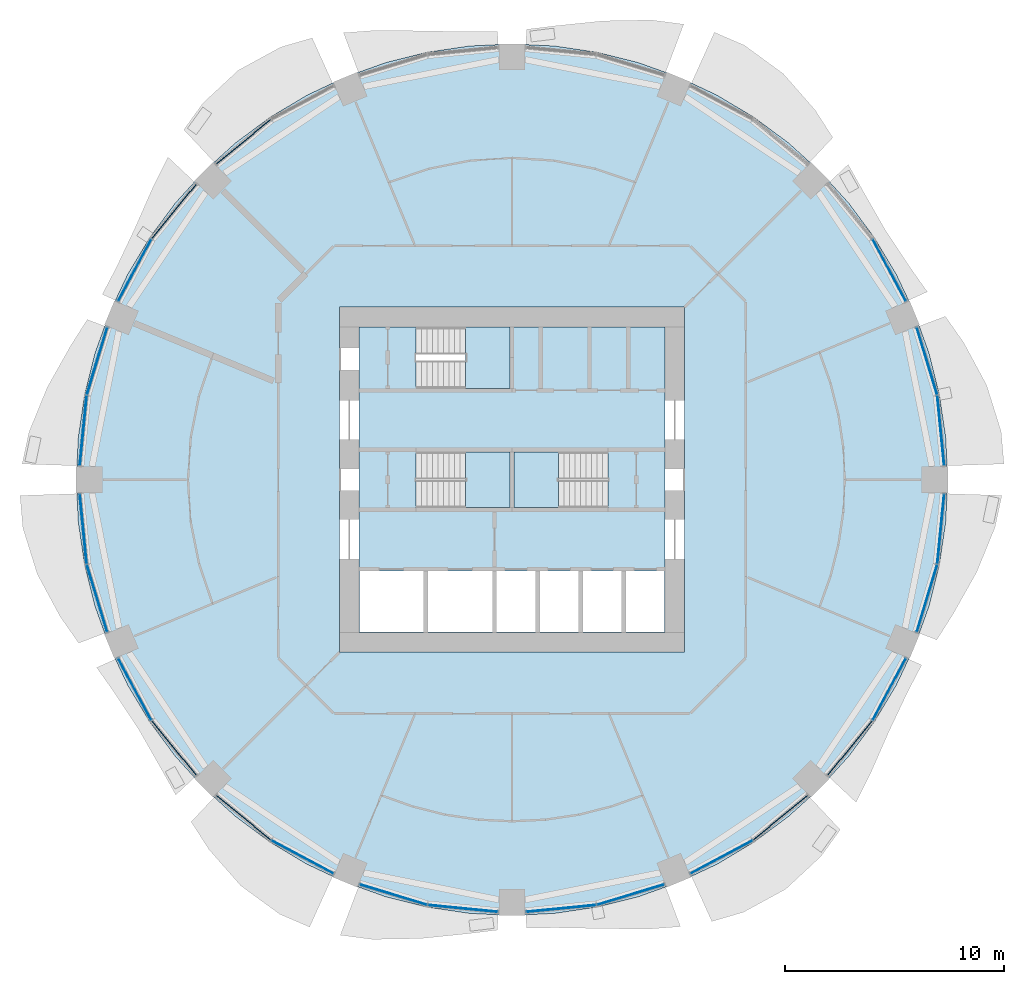
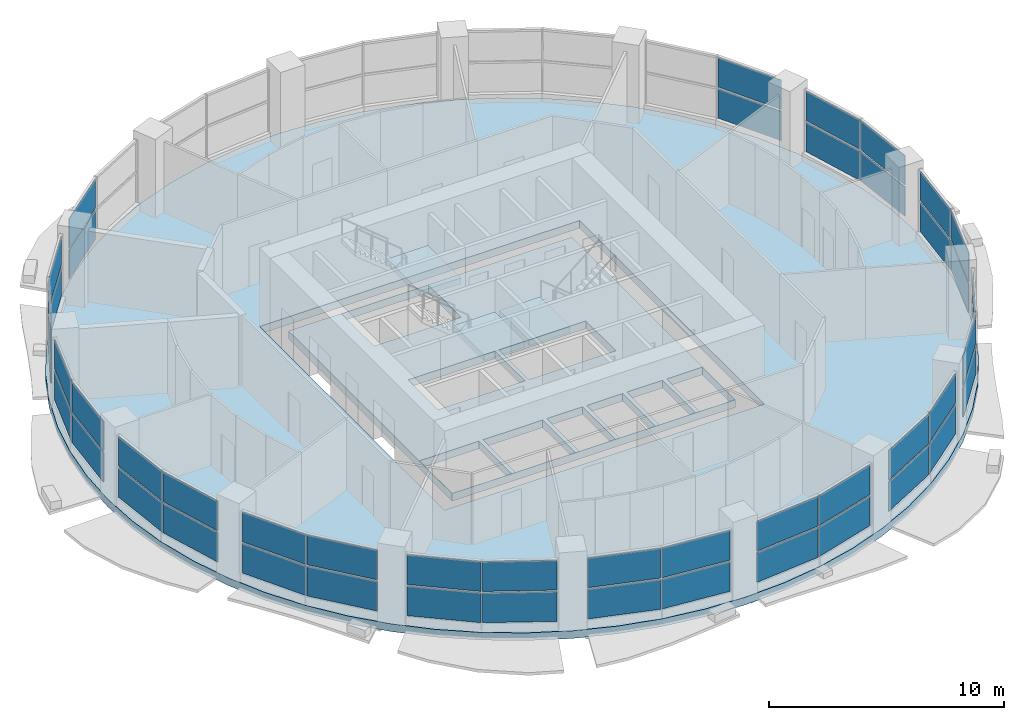
# One storey, part 6 of 14: 48 plates, 5 slabs, 16 elements without a shape of their own.
"""IFC4 building model written with IfcOpenShell, lengths in metres."""

from ifc_helpers import new_model, si_unit, direction, frame, origin, origin_2d, place, context, subcontext, project, spatial, polyline, rectangle, outline, extrude, material, layer, layer_set, type_object, element, aggregate, save


model = new_model("IFC4")

# Units and contexts
model_context = context("Model", 3, precision=1e-05, world=origin(), true_north=direction((0.0, 1.0)))
body_context = subcontext(model_context, "Body", "Model", "MODEL_VIEW")
ifc_project = project(units=[si_unit("LENGTHUNIT", "METRE"), si_unit("AREAUNIT", "SQUARE_METRE"), si_unit("VOLUMEUNIT", "CUBIC_METRE"), si_unit("PLANEANGLEUNIT", "RADIAN"), si_unit("MASSUNIT", "GRAM", prefix="KILO")], contexts=[model_context])

# Site, building, storey
site_placement = place(None, origin())
site = spatial("IfcSite", under=ifc_project, at=site_placement, CompositionType="ELEMENT")
building_placement = place(site_placement, origin())
building = spatial("IfcBuilding", under=site, at=building_placement, Name="Polderwave Tower", CompositionType="ELEMENT")
storey_placement = place(building_placement, frame((0.0, 0.0, 14.39990234375)))
storey = spatial("IfcBuildingStorey", under=building, at=storey_placement, Name="L03", CompositionType="ELEMENT", Elevation=14.39990234375)

# Slabs
ifc_material_1 = material(Name="Concrete C40/50", Category="concrete")
ifc_layer_1 = layer(ifc_material_1, 0.39990234375)
ifc_layer_set_1 = layer_set([ifc_layer_1], Name="Core floor slab 400")
slab_type_1 = type_object("IfcSlabType", Name="Core floor slab 400", PredefinedType="FLOOR", material=ifc_layer_set_1)
slab_1_placement = place(storey_placement, frame((0.0, 0.0, -0.39990234375)))
element("IfcSlab", 1, at=slab_1_placement, inside=storey, type_object=slab_type_1, Name="L03 core floor", PredefinedType="FLOOR", context=body_context, shape_type="SweptSolid", body=[
    extrude(outline(polyline([(-6.97412109375, -6.97412109375), (6.97412109375, -6.97412109375), (6.97412109375, 6.97412109375), (-6.97412109375, 6.97412109375), (-6.97412109375, -6.97412109375)]), holes=[polyline([(-6.9541015625, -6.9541015625), (-4.037109375, -6.9541015625), (-4.037109375, -4.174072265625), (-6.9541015625, -4.174072265625), (-6.9541015625, -6.9541015625)]), polyline([(-3.8369140625, -6.9541015625), (-0.89990234375, -6.9541015625), (-0.89990234375, -4.174072265625), (-3.8369140625, -4.174072265625), (-3.8369140625, -6.9541015625)]), polyline([(-0.699951171875, -6.9541015625), (1.068603515625, -6.9541015625), (1.068603515625, -4.174072265625), (-0.699951171875, -4.174072265625), (-0.699951171875, -6.9541015625)]), polyline([(1.2685546875, -6.9541015625), (3.037109375, -6.9541015625), (3.037109375, -4.174072265625), (1.2685546875, -4.174072265625), (1.2685546875, -6.9541015625)]), polyline([(3.237060546875, -6.9541015625), (5.005615234375, -6.9541015625), (5.005615234375, -4.174072265625), (3.237060546875, -4.174072265625), (3.237060546875, -6.9541015625)]), polyline([(5.20556640625, -6.9541015625), (6.9541015625, -6.9541015625), (6.9541015625, -4.174072265625), (5.20556640625, -4.174072265625), (5.20556640625, -6.9541015625)]), polyline([(-4.37353515625, -1.2744140625), (-0.1005859375, -1.2744140625), (-0.1005859375, 1.2744140625), (-4.37353515625, 1.2744140625), (-4.37353515625, -1.2744140625)]), polyline([(0.1005859375, -1.2744140625), (4.37353515625, -1.2744140625), (4.37353515625, 1.2744140625), (0.1005859375, 1.2744140625), (0.1005859375, -1.2744140625)]), polyline([(-4.37353515625, 4.174560546875), (-0.1005859375, 4.174560546875), (-0.1005859375, 6.9541015625), (-4.37353515625, 6.9541015625), (-4.37353515625, 4.174560546875)])]), origin(), (0.0, 0.0, 1.0), 0.39990234375),
])
ifc_layer_2 = layer(ifc_material_1, 0.39990234375)
ifc_layer_set_2 = layer_set([ifc_layer_2], Name="PT FLOOR SLAB 400 C40/50")
slab_type_2 = type_object("IfcSlabType", Name="PT FLOOR SLAB 400 C40/50", PredefinedType="FLOOR", material=ifc_layer_set_2)
slab_2_placement = place(storey_placement, frame((0.0, 0.0, -0.39990234375)))
element("IfcSlab", 2, at=slab_2_placement, inside=storey, type_object=slab_type_2, Name="ST-SLAB-L03", PredefinedType="FLOOR", context=body_context, shape_type="SweptSolid", body=[
    extrude(outline(polyline([(19.889892578125, 0.0), (19.794189453125, 1.94970703125), (19.5078125, 3.88037109375), (19.033447265625, 5.773681640625), (18.3759765625, 7.611572265625), (17.54150390625, 9.376220703125), (16.537841796875, 11.05029296875), (15.375244140625, 12.6181640625), (14.064453125, 14.064453125), (12.6181640625, 15.375244140625), (11.05029296875, 16.537841796875), (9.376220703125, 17.54150390625), (7.611572265625, 18.3759765625), (5.773681640625, 19.033447265625), (3.88037109375, 19.5078125), (1.94970703125, 19.794189453125), (0.0, 19.889892578125), (-1.94970703125, 19.794189453125), (-3.88037109375, 19.5078125), (-5.773681640625, 19.033447265625), (-7.611572265625, 18.3759765625), (-9.376220703125, 17.54150390625), (-11.05029296875, 16.537841796875), (-12.6181640625, 15.375244140625), (-14.064453125, 14.064453125), (-15.375244140625, 12.6181640625), (-16.537841796875, 11.05029296875), (-17.54150390625, 9.376220703125), (-18.3759765625, 7.611572265625), (-19.033447265625, 5.773681640625), (-19.5078125, 3.88037109375), (-19.794189453125, 1.94970703125), (-19.889892578125, 0.0), (-19.794189453125, -1.94970703125), (-19.5078125, -3.88037109375), (-19.033447265625, -5.773681640625), (-18.3759765625, -7.611572265625), (-17.54150390625, -9.376220703125), (-16.537841796875, -11.05029296875), (-15.375244140625, -12.6181640625), (-14.064453125, -14.064453125), (-12.6181640625, -15.375244140625), (-11.05029296875, -16.537841796875), (-9.376220703125, -17.54150390625), (-7.611572265625, -18.3759765625), (-5.773681640625, -19.033447265625), (-3.88037109375, -19.5078125), (-1.94970703125, -19.794189453125), (0.0, -19.889892578125), (1.94970703125, -19.794189453125), (3.88037109375, -19.5078125), (5.773681640625, -19.033447265625), (7.611572265625, -18.3759765625), (9.376220703125, -17.54150390625), (11.05029296875, -16.537841796875), (12.6181640625, -15.375244140625), (14.064453125, -14.064453125), (15.375244140625, -12.6181640625), (16.537841796875, -11.05029296875), (17.54150390625, -9.376220703125), (18.3759765625, -7.611572265625), (19.033447265625, -5.773681640625), (19.5078125, -3.88037109375), (19.794189453125, -1.94970703125), (19.889892578125, 0.0)]), holes=[polyline([(-7.8740234375, -7.8740234375), (7.8740234375, -7.8740234375), (7.8740234375, 7.8740234375), (-7.8740234375, 7.8740234375), (-7.8740234375, -7.8740234375)])]), origin(), (0.0, 0.0, 1.0), 0.39990234375),
])

# Curtain wall, plates
ifc_material_2 = material(Name="Aluminium 6063-T6 and glass", Category="aluminium")
curtain_wall_type = type_object("IfcCurtainWallType", Name="Shopfront glazing wall", PredefinedType="NOTDEFINED", material=ifc_material_2)
curtain_wall_1_placement = place(storey_placement, origin())
curtain_wall_1 = element("IfcCurtainWall", 3, at=curtain_wall_1_placement, inside=storey, type_object=curtain_wall_type, Name="CW1 L03 00", PredefinedType="NOTDEFINED")
ifc_material_3 = material(Name="Glass, low-e laminated double glazing", Category="glass")
ifc_layer_3 = layer(ifc_material_3, 0.035888671875)
ifc_layer_set_3 = layer_set([ifc_layer_3], Name="Shopfront glazing glass panel 36 mm")
plate_type = type_object("IfcPlateType", Name="Shopfront glazing glass panel 36 mm", PredefinedType="CURTAIN_PANEL", material=ifc_layer_set_3)
plate_1_placement = place(storey_placement, frame((19.569091796875, 2.245361328125, 0.4501953125), z_axis=(0.0, 0.0, 1.0), x_axis=(-0.097963295511, 0.995190028453, 0.0)))
plate_1 = element("IfcPlate", 4, at=plate_1_placement, type_object=plate_type, Name="CW1 panel 1", PredefinedType="CURTAIN_PANEL", context=body_context, shape_type="SweptSolid", body=[
    extrude(rectangle(XDim=3.186767578125, YDim=0.035888671875, at=origin_2d()), origin(), (0.0, 0.0, 1.0), 1.52490234375),
])
plate_2_placement = place(storey_placement, frame((19.569091796875, 2.245361328125, 2.0751953125), z_axis=(0.0, 0.0, 1.0), x_axis=(-0.097963295511, 0.995190028453, 0.0)))
plate_2 = element("IfcPlate", 5, at=plate_2_placement, type_object=plate_type, Name="CW1 panel 2", PredefinedType="CURTAIN_PANEL", context=body_context, shape_type="SweptSolid", body=[
    extrude(rectangle(XDim=3.186767578125, YDim=0.035888671875, at=origin_2d()), origin(), (0.0, 0.0, 1.0), 1.52490234375),
])
plate_3_placement = place(storey_placement, frame((18.93896484375, 5.4140625, 0.4501953125), z_axis=(0.0, 0.0, 1.0), x_axis=(-0.29028634743, 0.956939829088, 0.0)))
plate_3 = element("IfcPlate", 6, at=plate_3_placement, type_object=plate_type, Name="CW1 panel 3", PredefinedType="CURTAIN_PANEL", context=body_context, shape_type="SweptSolid", body=[
    extrude(rectangle(XDim=3.18603515625, YDim=0.035888671875, at=origin_2d()), origin(), (0.0, 0.0, 1.0), 1.52490234375),
])
plate_4_placement = place(storey_placement, frame((18.93896484375, 5.4140625, 2.0751953125), z_axis=(0.0, 0.0, 1.0), x_axis=(-0.29028634743, 0.956939829088, 0.0)))
plate_4 = element("IfcPlate", 7, at=plate_4_placement, type_object=plate_type, Name="CW1 panel 4", PredefinedType="CURTAIN_PANEL", context=body_context, shape_type="SweptSolid", body=[
    extrude(rectangle(XDim=3.18603515625, YDim=0.035888671875, at=origin_2d()), origin(), (0.0, 0.0, 1.0), 1.52490234375),
])
aggregate(curtain_wall_1, [plate_1, plate_2, plate_3, plate_4])

curtain_wall_2_placement = place(storey_placement, origin())
curtain_wall_2 = element("IfcCurtainWall", 8, at=curtain_wall_2_placement, inside=storey, type_object=curtain_wall_type, Name="CW1 L03 01", PredefinedType="NOTDEFINED")
plate_5_placement = place(storey_placement, frame((17.219970703125, 9.563232421875, 0.4501953125), z_axis=(0.0, 0.0, 1.0), x_axis=(-0.471221253797, 0.882015039538, 0.0)))
plate_5 = element("IfcPlate", 9, at=plate_5_placement, type_object=plate_type, Name="CW1 panel 1", PredefinedType="CURTAIN_PANEL", context=body_context, shape_type="SweptSolid", body=[
    extrude(rectangle(XDim=3.1865234375, YDim=0.035888671875, at=origin_2d()), origin(), (0.0, 0.0, 1.0), 1.52490234375),
])
plate_6_placement = place(storey_placement, frame((17.219970703125, 9.563232421875, 2.0751953125), z_axis=(0.0, 0.0, 1.0), x_axis=(-0.471221253797, 0.882015039538, 0.0)))
plate_6 = element("IfcPlate", 10, at=plate_6_placement, type_object=plate_type, Name="CW1 panel 2", PredefinedType="CURTAIN_PANEL", context=body_context, shape_type="SweptSolid", body=[
    extrude(rectangle(XDim=3.1865234375, YDim=0.035888671875, at=origin_2d()), origin(), (0.0, 0.0, 1.0), 1.52490234375),
])
aggregate(curtain_wall_2, [plate_5, plate_6])

curtain_wall_3_placement = place(storey_placement, origin())
curtain_wall_3 = element("IfcCurtainWall", 11, at=curtain_wall_3_placement, inside=storey, type_object=curtain_wall_type, Name="CW1 L03 05", PredefinedType="NOTDEFINED")
plate_7_placement = place(storey_placement, frame((-12.25, 15.425048828125, 0.4501953125), z_axis=(0.0, 0.0, 1.0), x_axis=(-0.772977235548, -0.634433758027, 0.0)))
plate_7 = element("IfcPlate", 12, at=plate_7_placement, type_object=plate_type, Name="CW1 panel 3", PredefinedType="CURTAIN_PANEL", context=body_context, shape_type="SweptSolid", body=[
    extrude(rectangle(XDim=3.18701171875, YDim=0.035888671875, at=origin_2d()), origin(), (0.0, 0.0, 1.0), 1.52490234375),
])
plate_8_placement = place(storey_placement, frame((-12.25, 15.425048828125, 2.0751953125), z_axis=(0.0, 0.0, 1.0), x_axis=(-0.772977235548, -0.634433758027, 0.0)))
plate_8 = element("IfcPlate", 13, at=plate_8_placement, type_object=plate_type, Name="CW1 panel 4", PredefinedType="CURTAIN_PANEL", context=body_context, shape_type="SweptSolid", body=[
    extrude(rectangle(XDim=3.18701171875, YDim=0.035888671875, at=origin_2d()), origin(), (0.0, 0.0, 1.0), 1.52490234375),
])
aggregate(curtain_wall_3, [plate_7, plate_8])

curtain_wall_4_placement = place(storey_placement, origin())
curtain_wall_4 = element("IfcCurtainWall", 14, at=curtain_wall_4_placement, inside=storey, type_object=curtain_wall_type, Name="CW1 L03 06", PredefinedType="NOTDEFINED")
plate_9_placement = place(storey_placement, frame((-15.425048828125, 12.25, 0.4501953125), z_axis=(0.0, 0.0, 1.0), x_axis=(-0.634433758027, -0.772977235548, 0.0)))
plate_9 = element("IfcPlate", 15, at=plate_9_placement, type_object=plate_type, Name="CW1 panel 1", PredefinedType="CURTAIN_PANEL", context=body_context, shape_type="SweptSolid", body=[
    extrude(rectangle(XDim=3.18701171875, YDim=0.035888671875, at=origin_2d()), origin(), (0.0, 0.0, 1.0), 1.52490234375),
])
plate_10_placement = place(storey_placement, frame((-15.425048828125, 12.25, 2.0751953125), z_axis=(0.0, 0.0, 1.0), x_axis=(-0.634433758027, -0.772977235548, 0.0)))
plate_10 = element("IfcPlate", 16, at=plate_10_placement, type_object=plate_type, Name="CW1 panel 2", PredefinedType="CURTAIN_PANEL", context=body_context, shape_type="SweptSolid", body=[
    extrude(rectangle(XDim=3.18701171875, YDim=0.035888671875, at=origin_2d()), origin(), (0.0, 0.0, 1.0), 1.52490234375),
])
plate_11_placement = place(storey_placement, frame((-17.219970703125, 9.563232421875, 0.4501953125), z_axis=(0.0, 0.0, 1.0), x_axis=(-0.471221253797, -0.882015039538, 0.0)))
plate_11 = element("IfcPlate", 17, at=plate_11_placement, type_object=plate_type, Name="CW1 panel 3", PredefinedType="CURTAIN_PANEL", context=body_context, shape_type="SweptSolid", body=[
    extrude(rectangle(XDim=3.1865234375, YDim=0.035888671875, at=origin_2d()), origin(), (0.0, 0.0, 1.0), 1.52490234375),
])
plate_12_placement = place(storey_placement, frame((-17.219970703125, 9.563232421875, 2.0751953125), z_axis=(0.0, 0.0, 1.0), x_axis=(-0.471221253797, -0.882015039538, 0.0)))
plate_12 = element("IfcPlate", 18, at=plate_12_placement, type_object=plate_type, Name="CW1 panel 4", PredefinedType="CURTAIN_PANEL", context=body_context, shape_type="SweptSolid", body=[
    extrude(rectangle(XDim=3.1865234375, YDim=0.035888671875, at=origin_2d()), origin(), (0.0, 0.0, 1.0), 1.52490234375),
])
aggregate(curtain_wall_4, [plate_9, plate_10, plate_11, plate_12])

curtain_wall_5_placement = place(storey_placement, origin())
curtain_wall_5 = element("IfcCurtainWall", 19, at=curtain_wall_5_placement, inside=storey, type_object=curtain_wall_type, Name="CW1 L03 07", PredefinedType="NOTDEFINED")
plate_13_placement = place(storey_placement, frame((-18.93896484375, 5.4140625, 0.4501953125), z_axis=(0.0, 0.0, 1.0), x_axis=(-0.29028634743, -0.956939829088, 0.0)))
plate_13 = element("IfcPlate", 20, at=plate_13_placement, type_object=plate_type, Name="CW1 panel 1", PredefinedType="CURTAIN_PANEL", context=body_context, shape_type="SweptSolid", body=[
    extrude(rectangle(XDim=3.18603515625, YDim=0.035888671875, at=origin_2d()), origin(), (0.0, 0.0, 1.0), 1.52490234375),
])
plate_14_placement = place(storey_placement, frame((-18.93896484375, 5.4140625, 2.0751953125), z_axis=(0.0, 0.0, 1.0), x_axis=(-0.29028634743, -0.956939829088, 0.0)))
plate_14 = element("IfcPlate", 21, at=plate_14_placement, type_object=plate_type, Name="CW1 panel 2", PredefinedType="CURTAIN_PANEL", context=body_context, shape_type="SweptSolid", body=[
    extrude(rectangle(XDim=3.18603515625, YDim=0.035888671875, at=origin_2d()), origin(), (0.0, 0.0, 1.0), 1.52490234375),
])
plate_15_placement = place(storey_placement, frame((-19.569091796875, 2.245361328125, 0.4501953125), z_axis=(0.0, 0.0, 1.0), x_axis=(-0.097963295511, -0.995190028453, 0.0)))
plate_15 = element("IfcPlate", 22, at=plate_15_placement, type_object=plate_type, Name="CW1 panel 3", PredefinedType="CURTAIN_PANEL", context=body_context, shape_type="SweptSolid", body=[
    extrude(rectangle(XDim=3.186767578125, YDim=0.035888671875, at=origin_2d()), origin(), (0.0, 0.0, 1.0), 1.52490234375),
])
plate_16_placement = place(storey_placement, frame((-19.569091796875, 2.245361328125, 2.0751953125), z_axis=(0.0, 0.0, 1.0), x_axis=(-0.097963295511, -0.995190028453, 0.0)))
plate_16 = element("IfcPlate", 23, at=plate_16_placement, type_object=plate_type, Name="CW1 panel 4", PredefinedType="CURTAIN_PANEL", context=body_context, shape_type="SweptSolid", body=[
    extrude(rectangle(XDim=3.186767578125, YDim=0.035888671875, at=origin_2d()), origin(), (0.0, 0.0, 1.0), 1.52490234375),
])
aggregate(curtain_wall_5, [plate_13, plate_14, plate_15, plate_16])

curtain_wall_6_placement = place(storey_placement, origin())
curtain_wall_6 = element("IfcCurtainWall", 24, at=curtain_wall_6_placement, inside=storey, type_object=curtain_wall_type, Name="CW1 L03 08", PredefinedType="NOTDEFINED")
plate_17_placement = place(storey_placement, frame((-19.569091796875, -2.245361328125, 0.4501953125), z_axis=(0.0, 0.0, 1.0), x_axis=(0.097963295511, -0.995190028453, 0.0)))
plate_17 = element("IfcPlate", 25, at=plate_17_placement, type_object=plate_type, Name="CW1 panel 1", PredefinedType="CURTAIN_PANEL", context=body_context, shape_type="SweptSolid", body=[
    extrude(rectangle(XDim=3.186767578125, YDim=0.035888671875, at=origin_2d()), origin(), (0.0, 0.0, 1.0), 1.52490234375),
])
plate_18_placement = place(storey_placement, frame((-19.569091796875, -2.245361328125, 2.0751953125), z_axis=(0.0, 0.0, 1.0), x_axis=(0.097963295511, -0.995190028453, 0.0)))
plate_18 = element("IfcPlate", 26, at=plate_18_placement, type_object=plate_type, Name="CW1 panel 2", PredefinedType="CURTAIN_PANEL", context=body_context, shape_type="SweptSolid", body=[
    extrude(rectangle(XDim=3.186767578125, YDim=0.035888671875, at=origin_2d()), origin(), (0.0, 0.0, 1.0), 1.52490234375),
])
plate_19_placement = place(storey_placement, frame((-18.93896484375, -5.4140625, 0.4501953125), z_axis=(0.0, 0.0, 1.0), x_axis=(0.29028634743, -0.956939829088, 0.0)))
plate_19 = element("IfcPlate", 27, at=plate_19_placement, type_object=plate_type, Name="CW1 panel 3", PredefinedType="CURTAIN_PANEL", context=body_context, shape_type="SweptSolid", body=[
    extrude(rectangle(XDim=3.18603515625, YDim=0.035888671875, at=origin_2d()), origin(), (0.0, 0.0, 1.0), 1.52490234375),
])
plate_20_placement = place(storey_placement, frame((-18.93896484375, -5.4140625, 2.0751953125), z_axis=(0.0, 0.0, 1.0), x_axis=(0.29028634743, -0.956939829088, 0.0)))
plate_20 = element("IfcPlate", 28, at=plate_20_placement, type_object=plate_type, Name="CW1 panel 4", PredefinedType="CURTAIN_PANEL", context=body_context, shape_type="SweptSolid", body=[
    extrude(rectangle(XDim=3.18603515625, YDim=0.035888671875, at=origin_2d()), origin(), (0.0, 0.0, 1.0), 1.52490234375),
])
aggregate(curtain_wall_6, [plate_17, plate_18, plate_19, plate_20])

curtain_wall_7_placement = place(storey_placement, origin())
curtain_wall_7 = element("IfcCurtainWall", 29, at=curtain_wall_7_placement, inside=storey, type_object=curtain_wall_type, Name="CW1 L03 09", PredefinedType="NOTDEFINED")
plate_21_placement = place(storey_placement, frame((-17.219970703125, -9.563232421875, 0.4501953125), z_axis=(0.0, 0.0, 1.0), x_axis=(0.471221253797, -0.882015039538, 0.0)))
plate_21 = element("IfcPlate", 30, at=plate_21_placement, type_object=plate_type, Name="CW1 panel 1", PredefinedType="CURTAIN_PANEL", context=body_context, shape_type="SweptSolid", body=[
    extrude(rectangle(XDim=3.1865234375, YDim=0.035888671875, at=origin_2d()), origin(), (0.0, 0.0, 1.0), 1.52490234375),
])
plate_22_placement = place(storey_placement, frame((-17.219970703125, -9.563232421875, 2.0751953125), z_axis=(0.0, 0.0, 1.0), x_axis=(0.471221253797, -0.882015039538, 0.0)))
plate_22 = element("IfcPlate", 31, at=plate_22_placement, type_object=plate_type, Name="CW1 panel 2", PredefinedType="CURTAIN_PANEL", context=body_context, shape_type="SweptSolid", body=[
    extrude(rectangle(XDim=3.1865234375, YDim=0.035888671875, at=origin_2d()), origin(), (0.0, 0.0, 1.0), 1.52490234375),
])
plate_23_placement = place(storey_placement, frame((-15.425048828125, -12.25, 0.4501953125), z_axis=(0.0, 0.0, 1.0), x_axis=(0.634433758027, -0.772977235548, 0.0)))
plate_23 = element("IfcPlate", 32, at=plate_23_placement, type_object=plate_type, Name="CW1 panel 3", PredefinedType="CURTAIN_PANEL", context=body_context, shape_type="SweptSolid", body=[
    extrude(rectangle(XDim=3.18701171875, YDim=0.035888671875, at=origin_2d()), origin(), (0.0, 0.0, 1.0), 1.52490234375),
])
plate_24_placement = place(storey_placement, frame((-15.425048828125, -12.25, 2.0751953125), z_axis=(0.0, 0.0, 1.0), x_axis=(0.634433758027, -0.772977235548, 0.0)))
plate_24 = element("IfcPlate", 33, at=plate_24_placement, type_object=plate_type, Name="CW1 panel 4", PredefinedType="CURTAIN_PANEL", context=body_context, shape_type="SweptSolid", body=[
    extrude(rectangle(XDim=3.18701171875, YDim=0.035888671875, at=origin_2d()), origin(), (0.0, 0.0, 1.0), 1.52490234375),
])
aggregate(curtain_wall_7, [plate_21, plate_22, plate_23, plate_24])

curtain_wall_8_placement = place(storey_placement, origin())
curtain_wall_8 = element("IfcCurtainWall", 34, at=curtain_wall_8_placement, inside=storey, type_object=curtain_wall_type, Name="CW1 L03 10", PredefinedType="NOTDEFINED")
plate_25_placement = place(storey_placement, frame((-12.25, -15.425048828125, 0.4501953125), z_axis=(0.0, 0.0, 1.0), x_axis=(0.772977235548, -0.634433758027, 0.0)))
plate_25 = element("IfcPlate", 35, at=plate_25_placement, type_object=plate_type, Name="CW1 panel 1", PredefinedType="CURTAIN_PANEL", context=body_context, shape_type="SweptSolid", body=[
    extrude(rectangle(XDim=3.18701171875, YDim=0.035888671875, at=origin_2d()), origin(), (0.0, 0.0, 1.0), 1.52490234375),
])
plate_26_placement = place(storey_placement, frame((-12.25, -15.425048828125, 2.0751953125), z_axis=(0.0, 0.0, 1.0), x_axis=(0.772977235548, -0.634433758027, 0.0)))
plate_26 = element("IfcPlate", 36, at=plate_26_placement, type_object=plate_type, Name="CW1 panel 2", PredefinedType="CURTAIN_PANEL", context=body_context, shape_type="SweptSolid", body=[
    extrude(rectangle(XDim=3.18701171875, YDim=0.035888671875, at=origin_2d()), origin(), (0.0, 0.0, 1.0), 1.52490234375),
])
plate_27_placement = place(storey_placement, frame((-9.563232421875, -17.219970703125, 0.4501953125), z_axis=(0.0, 0.0, 1.0), x_axis=(0.882015039538, -0.471221253797, 0.0)))
plate_27 = element("IfcPlate", 37, at=plate_27_placement, type_object=plate_type, Name="CW1 panel 3", PredefinedType="CURTAIN_PANEL", context=body_context, shape_type="SweptSolid", body=[
    extrude(rectangle(XDim=3.1865234375, YDim=0.035888671875, at=origin_2d()), origin(), (0.0, 0.0, 1.0), 1.52490234375),
])
plate_28_placement = place(storey_placement, frame((-9.563232421875, -17.219970703125, 2.0751953125), z_axis=(0.0, 0.0, 1.0), x_axis=(0.882015039538, -0.471221253797, 0.0)))
plate_28 = element("IfcPlate", 38, at=plate_28_placement, type_object=plate_type, Name="CW1 panel 4", PredefinedType="CURTAIN_PANEL", context=body_context, shape_type="SweptSolid", body=[
    extrude(rectangle(XDim=3.1865234375, YDim=0.035888671875, at=origin_2d()), origin(), (0.0, 0.0, 1.0), 1.52490234375),
])
aggregate(curtain_wall_8, [plate_25, plate_26, plate_27, plate_28])

curtain_wall_9_placement = place(storey_placement, origin())
curtain_wall_9 = element("IfcCurtainWall", 39, at=curtain_wall_9_placement, inside=storey, type_object=curtain_wall_type, Name="CW1 L03 11", PredefinedType="NOTDEFINED")
plate_29_placement = place(storey_placement, frame((-5.4140625, -18.93896484375, 0.4501953125), z_axis=(0.0, 0.0, 1.0), x_axis=(0.956939829088, -0.29028634743, 0.0)))
plate_29 = element("IfcPlate", 40, at=plate_29_placement, type_object=plate_type, Name="CW1 panel 1", PredefinedType="CURTAIN_PANEL", context=body_context, shape_type="SweptSolid", body=[
    extrude(rectangle(XDim=3.18603515625, YDim=0.035888671875, at=origin_2d()), origin(), (0.0, 0.0, 1.0), 1.52490234375),
])
plate_30_placement = place(storey_placement, frame((-5.4140625, -18.93896484375, 2.0751953125), z_axis=(0.0, 0.0, 1.0), x_axis=(0.956939829088, -0.29028634743, 0.0)))
plate_30 = element("IfcPlate", 41, at=plate_30_placement, type_object=plate_type, Name="CW1 panel 2", PredefinedType="CURTAIN_PANEL", context=body_context, shape_type="SweptSolid", body=[
    extrude(rectangle(XDim=3.18603515625, YDim=0.035888671875, at=origin_2d()), origin(), (0.0, 0.0, 1.0), 1.52490234375),
])
plate_31_placement = place(storey_placement, frame((-2.245361328125, -19.569091796875, 0.4501953125), z_axis=(0.0, 0.0, 1.0), x_axis=(0.995190028453, -0.097963295511, 0.0)))
plate_31 = element("IfcPlate", 42, at=plate_31_placement, type_object=plate_type, Name="CW1 panel 3", PredefinedType="CURTAIN_PANEL", context=body_context, shape_type="SweptSolid", body=[
    extrude(rectangle(XDim=3.186767578125, YDim=0.035888671875, at=origin_2d()), origin(), (0.0, 0.0, 1.0), 1.52490234375),
])
plate_32_placement = place(storey_placement, frame((-2.245361328125, -19.569091796875, 2.0751953125), z_axis=(0.0, 0.0, 1.0), x_axis=(0.995190028453, -0.097963295511, 0.0)))
plate_32 = element("IfcPlate", 43, at=plate_32_placement, type_object=plate_type, Name="CW1 panel 4", PredefinedType="CURTAIN_PANEL", context=body_context, shape_type="SweptSolid", body=[
    extrude(rectangle(XDim=3.186767578125, YDim=0.035888671875, at=origin_2d()), origin(), (0.0, 0.0, 1.0), 1.52490234375),
])
aggregate(curtain_wall_9, [plate_29, plate_30, plate_31, plate_32])

curtain_wall_10_placement = place(storey_placement, origin())
curtain_wall_10 = element("IfcCurtainWall", 44, at=curtain_wall_10_placement, inside=storey, type_object=curtain_wall_type, Name="CW1 L03 12", PredefinedType="NOTDEFINED")
plate_33_placement = place(storey_placement, frame((2.245361328125, -19.569091796875, 0.4501953125), z_axis=(0.0, 0.0, 1.0), x_axis=(0.995190028453, 0.097963295511, 0.0)))
plate_33 = element("IfcPlate", 45, at=plate_33_placement, type_object=plate_type, Name="CW1 panel 1", PredefinedType="CURTAIN_PANEL", context=body_context, shape_type="SweptSolid", body=[
    extrude(rectangle(XDim=3.186767578125, YDim=0.035888671875, at=origin_2d()), origin(), (0.0, 0.0, 1.0), 1.52490234375),
])
plate_34_placement = place(storey_placement, frame((2.245361328125, -19.569091796875, 2.0751953125), z_axis=(0.0, 0.0, 1.0), x_axis=(0.995190028453, 0.097963295511, 0.0)))
plate_34 = element("IfcPlate", 46, at=plate_34_placement, type_object=plate_type, Name="CW1 panel 2", PredefinedType="CURTAIN_PANEL", context=body_context, shape_type="SweptSolid", body=[
    extrude(rectangle(XDim=3.186767578125, YDim=0.035888671875, at=origin_2d()), origin(), (0.0, 0.0, 1.0), 1.52490234375),
])
plate_35_placement = place(storey_placement, frame((5.4140625, -18.93896484375, 0.4501953125), z_axis=(0.0, 0.0, 1.0), x_axis=(0.956939829088, 0.29028634743, 0.0)))
plate_35 = element("IfcPlate", 47, at=plate_35_placement, type_object=plate_type, Name="CW1 panel 3", PredefinedType="CURTAIN_PANEL", context=body_context, shape_type="SweptSolid", body=[
    extrude(rectangle(XDim=3.18603515625, YDim=0.035888671875, at=origin_2d()), origin(), (0.0, 0.0, 1.0), 1.52490234375),
])
plate_36_placement = place(storey_placement, frame((5.4140625, -18.93896484375, 2.0751953125), z_axis=(0.0, 0.0, 1.0), x_axis=(0.956939829088, 0.29028634743, 0.0)))
plate_36 = element("IfcPlate", 48, at=plate_36_placement, type_object=plate_type, Name="CW1 panel 4", PredefinedType="CURTAIN_PANEL", context=body_context, shape_type="SweptSolid", body=[
    extrude(rectangle(XDim=3.18603515625, YDim=0.035888671875, at=origin_2d()), origin(), (0.0, 0.0, 1.0), 1.52490234375),
])
aggregate(curtain_wall_10, [plate_33, plate_34, plate_35, plate_36])

curtain_wall_11_placement = place(storey_placement, origin())
curtain_wall_11 = element("IfcCurtainWall", 49, at=curtain_wall_11_placement, inside=storey, type_object=curtain_wall_type, Name="CW1 L03 13", PredefinedType="NOTDEFINED")
plate_37_placement = place(storey_placement, frame((9.563232421875, -17.219970703125, 0.4501953125), z_axis=(0.0, 0.0, 1.0), x_axis=(0.882015039538, 0.471221253797, 0.0)))
plate_37 = element("IfcPlate", 50, at=plate_37_placement, type_object=plate_type, Name="CW1 panel 1", PredefinedType="CURTAIN_PANEL", context=body_context, shape_type="SweptSolid", body=[
    extrude(rectangle(XDim=3.1865234375, YDim=0.035888671875, at=origin_2d()), origin(), (0.0, 0.0, 1.0), 1.52490234375),
])
plate_38_placement = place(storey_placement, frame((9.563232421875, -17.219970703125, 2.0751953125), z_axis=(0.0, 0.0, 1.0), x_axis=(0.882015039538, 0.471221253797, 0.0)))
plate_38 = element("IfcPlate", 51, at=plate_38_placement, type_object=plate_type, Name="CW1 panel 2", PredefinedType="CURTAIN_PANEL", context=body_context, shape_type="SweptSolid", body=[
    extrude(rectangle(XDim=3.1865234375, YDim=0.035888671875, at=origin_2d()), origin(), (0.0, 0.0, 1.0), 1.52490234375),
])
plate_39_placement = place(storey_placement, frame((12.25, -15.425048828125, 0.4501953125), z_axis=(0.0, 0.0, 1.0), x_axis=(0.772977235548, 0.634433758027, 0.0)))
plate_39 = element("IfcPlate", 52, at=plate_39_placement, type_object=plate_type, Name="CW1 panel 3", PredefinedType="CURTAIN_PANEL", context=body_context, shape_type="SweptSolid", body=[
    extrude(rectangle(XDim=3.18701171875, YDim=0.035888671875, at=origin_2d()), origin(), (0.0, 0.0, 1.0), 1.52490234375),
])
plate_40_placement = place(storey_placement, frame((12.25, -15.425048828125, 2.0751953125), z_axis=(0.0, 0.0, 1.0), x_axis=(0.772977235548, 0.634433758027, 0.0)))
plate_40 = element("IfcPlate", 53, at=plate_40_placement, type_object=plate_type, Name="CW1 panel 4", PredefinedType="CURTAIN_PANEL", context=body_context, shape_type="SweptSolid", body=[
    extrude(rectangle(XDim=3.18701171875, YDim=0.035888671875, at=origin_2d()), origin(), (0.0, 0.0, 1.0), 1.52490234375),
])
aggregate(curtain_wall_11, [plate_37, plate_38, plate_39, plate_40])

curtain_wall_12_placement = place(storey_placement, origin())
curtain_wall_12 = element("IfcCurtainWall", 54, at=curtain_wall_12_placement, inside=storey, type_object=curtain_wall_type, Name="CW1 L03 14", PredefinedType="NOTDEFINED")
plate_41_placement = place(storey_placement, frame((15.425048828125, -12.25, 0.4501953125), z_axis=(0.0, 0.0, 1.0), x_axis=(0.634433758027, 0.772977235548, 0.0)))
plate_41 = element("IfcPlate", 55, at=plate_41_placement, type_object=plate_type, Name="CW1 panel 1", PredefinedType="CURTAIN_PANEL", context=body_context, shape_type="SweptSolid", body=[
    extrude(rectangle(XDim=3.18701171875, YDim=0.035888671875, at=origin_2d()), origin(), (0.0, 0.0, 1.0), 1.52490234375),
])
plate_42_placement = place(storey_placement, frame((15.425048828125, -12.25, 2.0751953125), z_axis=(0.0, 0.0, 1.0), x_axis=(0.634433758027, 0.772977235548, 0.0)))
plate_42 = element("IfcPlate", 56, at=plate_42_placement, type_object=plate_type, Name="CW1 panel 2", PredefinedType="CURTAIN_PANEL", context=body_context, shape_type="SweptSolid", body=[
    extrude(rectangle(XDim=3.18701171875, YDim=0.035888671875, at=origin_2d()), origin(), (0.0, 0.0, 1.0), 1.52490234375),
])
plate_43_placement = place(storey_placement, frame((17.219970703125, -9.563232421875, 0.4501953125), z_axis=(0.0, 0.0, 1.0), x_axis=(0.471221253797, 0.882015039538, 0.0)))
plate_43 = element("IfcPlate", 57, at=plate_43_placement, type_object=plate_type, Name="CW1 panel 3", PredefinedType="CURTAIN_PANEL", context=body_context, shape_type="SweptSolid", body=[
    extrude(rectangle(XDim=3.1865234375, YDim=0.035888671875, at=origin_2d()), origin(), (0.0, 0.0, 1.0), 1.52490234375),
])
plate_44_placement = place(storey_placement, frame((17.219970703125, -9.563232421875, 2.0751953125), z_axis=(0.0, 0.0, 1.0), x_axis=(0.471221253797, 0.882015039538, 0.0)))
plate_44 = element("IfcPlate", 58, at=plate_44_placement, type_object=plate_type, Name="CW1 panel 4", PredefinedType="CURTAIN_PANEL", context=body_context, shape_type="SweptSolid", body=[
    extrude(rectangle(XDim=3.1865234375, YDim=0.035888671875, at=origin_2d()), origin(), (0.0, 0.0, 1.0), 1.52490234375),
])
aggregate(curtain_wall_12, [plate_41, plate_42, plate_43, plate_44])

curtain_wall_13_placement = place(storey_placement, origin())
curtain_wall_13 = element("IfcCurtainWall", 59, at=curtain_wall_13_placement, inside=storey, type_object=curtain_wall_type, Name="CW1 L03 15", PredefinedType="NOTDEFINED")
plate_45_placement = place(storey_placement, frame((18.93896484375, -5.4140625, 0.4501953125), z_axis=(0.0, 0.0, 1.0), x_axis=(0.29028634743, 0.956939829088, 0.0)))
plate_45 = element("IfcPlate", 60, at=plate_45_placement, type_object=plate_type, Name="CW1 panel 1", PredefinedType="CURTAIN_PANEL", context=body_context, shape_type="SweptSolid", body=[
    extrude(rectangle(XDim=3.18603515625, YDim=0.035888671875, at=origin_2d()), origin(), (0.0, 0.0, 1.0), 1.52490234375),
])
plate_46_placement = place(storey_placement, frame((18.93896484375, -5.4140625, 2.0751953125), z_axis=(0.0, 0.0, 1.0), x_axis=(0.29028634743, 0.956939829088, 0.0)))
plate_46 = element("IfcPlate", 61, at=plate_46_placement, type_object=plate_type, Name="CW1 panel 2", PredefinedType="CURTAIN_PANEL", context=body_context, shape_type="SweptSolid", body=[
    extrude(rectangle(XDim=3.18603515625, YDim=0.035888671875, at=origin_2d()), origin(), (0.0, 0.0, 1.0), 1.52490234375),
])
plate_47_placement = place(storey_placement, frame((19.569091796875, -2.245361328125, 0.4501953125), z_axis=(0.0, 0.0, 1.0), x_axis=(0.097963295511, 0.995190028453, 0.0)))
plate_47 = element("IfcPlate", 62, at=plate_47_placement, type_object=plate_type, Name="CW1 panel 3", PredefinedType="CURTAIN_PANEL", context=body_context, shape_type="SweptSolid", body=[
    extrude(rectangle(XDim=3.186767578125, YDim=0.035888671875, at=origin_2d()), origin(), (0.0, 0.0, 1.0), 1.52490234375),
])
plate_48_placement = place(storey_placement, frame((19.569091796875, -2.245361328125, 2.0751953125), z_axis=(0.0, 0.0, 1.0), x_axis=(0.097963295511, 0.995190028453, 0.0)))
plate_48 = element("IfcPlate", 63, at=plate_48_placement, type_object=plate_type, Name="CW1 panel 4", PredefinedType="CURTAIN_PANEL", context=body_context, shape_type="SweptSolid", body=[
    extrude(rectangle(XDim=3.186767578125, YDim=0.035888671875, at=origin_2d()), origin(), (0.0, 0.0, 1.0), 1.52490234375),
])
aggregate(curtain_wall_13, [plate_45, plate_46, plate_47, plate_48])

# Stair, slab
stair_type = type_object("IfcStairType", Name="Exit stair 1200 x 20 risers", PredefinedType="HALF_TURN_STAIR", material=ifc_material_1)
stair_1_placement = place(storey_placement, origin())
stair_1 = element("IfcStair", 64, at=stair_1_placement, inside=storey, type_object=stair_type, Name="L03 Exit stair A", PredefinedType="HALF_TURN_STAIR")
ifc_layer_4 = layer(ifc_material_1, 0.300048828125)
ifc_layer_set_4 = layer_set([ifc_layer_4], Name="Stair landing 300")
slab_type_3 = type_object("IfcSlabType", Name="Stair landing 300", PredefinedType="LANDING", material=ifc_layer_set_4)
slab_3_placement = place(storey_placement, frame((0.0, 0.0, 1.75)))
slab_3 = element("IfcSlab", 65, at=slab_3_placement, type_object=slab_type_3, Name="ST-A landing 1", PredefinedType="LANDING", context=body_context, shape_type="SweptSolid", body=[
    extrude(outline(polyline([(-2.1240234375, -1.27490234375), (-0.10009765625, -1.27490234375), (-0.10009765625, 1.27490234375), (-2.1240234375, 1.27490234375), (-2.1240234375, -1.27490234375)])), origin(), (0.0, 0.0, 1.0), 0.300048828125),
])
aggregate(stair_1, [slab_3])

stair_2_placement = place(storey_placement, origin())
stair_2 = element("IfcStair", 66, at=stair_2_placement, inside=storey, type_object=stair_type, Name="L03 Exit stair B", PredefinedType="HALF_TURN_STAIR")
slab_4_placement = place(storey_placement, frame((0.0, 0.0, 1.75)))
slab_4 = element("IfcSlab", 67, at=slab_4_placement, type_object=slab_type_3, Name="ST-B landing 1", PredefinedType="LANDING", context=body_context, shape_type="SweptSolid", body=[
    extrude(outline(polyline([(2.1240234375, 1.27490234375), (0.10009765625, 1.27490234375), (0.10009765625, -1.27490234375), (2.1240234375, -1.27490234375), (2.1240234375, 1.27490234375)])), origin(), (0.0, 0.0, 1.0), 0.300048828125),
])
aggregate(stair_2, [slab_4])

stair_3_placement = place(storey_placement, origin())
stair_3 = element("IfcStair", 68, at=stair_3_placement, inside=storey, type_object=stair_type, Name="L03 Exit stair C", PredefinedType="HALF_TURN_STAIR")
slab_5_placement = place(storey_placement, frame((0.0, 0.0, 1.75)))
slab_5 = element("IfcSlab", 69, at=slab_5_placement, type_object=slab_type_3, Name="ST-C landing 1", PredefinedType="LANDING", context=body_context, shape_type="SweptSolid", body=[
    extrude(outline(polyline([(-2.1240234375, 4.174072265625), (-0.10009765625, 4.174072265625), (-0.10009765625, 6.97412109375), (-2.1240234375, 6.97412109375), (-2.1240234375, 4.174072265625)])), origin(), (0.0, 0.0, 1.0), 0.300048828125),
])
aggregate(stair_3, [slab_5])

save(model, "model.ifc")
